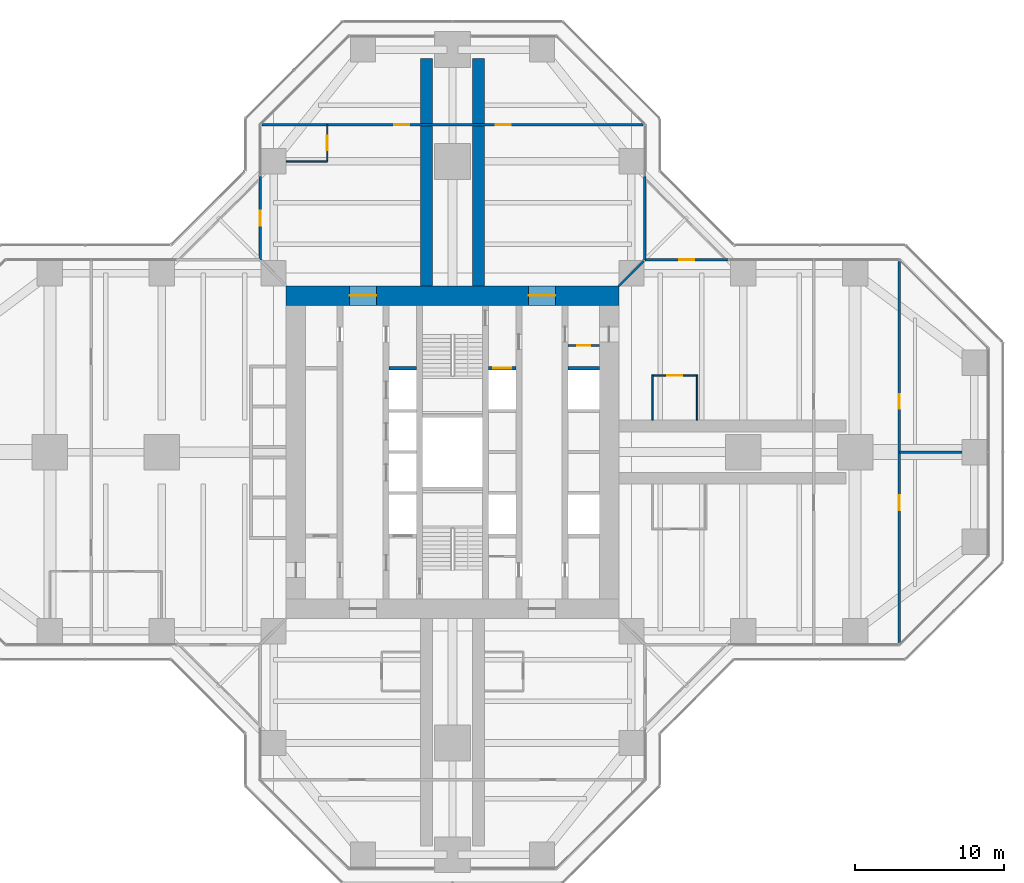
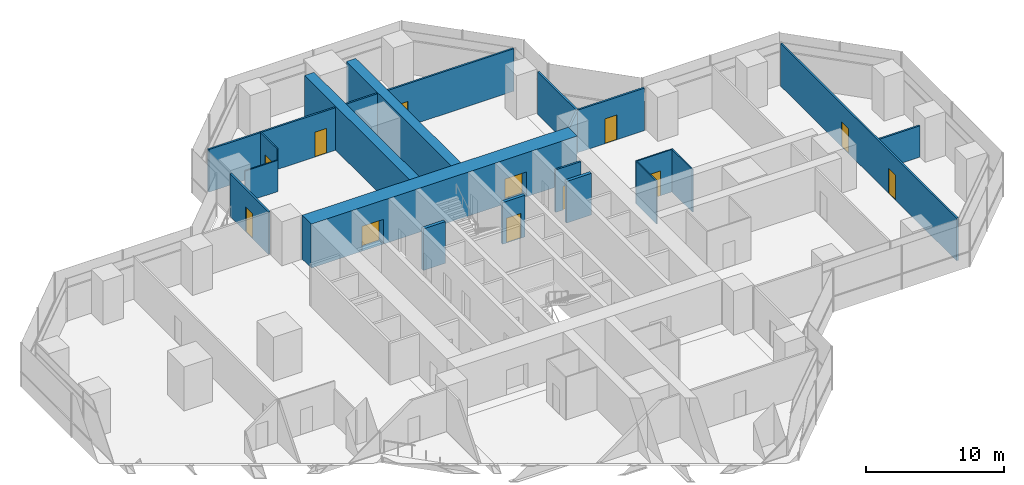
# One storey, part 17 of 20: 19 walls, 12 doors, 12 openings.
"""IFC4 building model written with IfcOpenShell, lengths in metres."""

from ifc_helpers import new_model, si_unit, direction, frame, frame_2d, origin, place, context, subcontext, project, spatial, rectangle, extrude, material, layer, layer_set, type_object, element, fill, save


model = new_model("IFC4")

# Units and contexts
model_context = context("Model", 3, precision=1e-05, world=origin(), true_north=direction((0.0, 1.0)))
body_context = subcontext(model_context, "Body", "Model", "MODEL_VIEW")
ifc_project = project(units=[si_unit("LENGTHUNIT", "METRE"), si_unit("AREAUNIT", "SQUARE_METRE"), si_unit("VOLUMEUNIT", "CUBIC_METRE"), si_unit("PLANEANGLEUNIT", "RADIAN"), si_unit("MASSUNIT", "GRAM", prefix="KILO")], contexts=[model_context])

# Site, building, storey
site_placement = place(None, origin())
site = spatial("IfcSite", under=ifc_project, at=site_placement, CompositionType="ELEMENT")
building_placement = place(site_placement, origin())
building = spatial("IfcBuilding", under=site, at=building_placement, Name="Mizan Broadcast Tower", CompositionType="ELEMENT")
storey_placement = place(building_placement, frame((0.0, 0.0, 190.5)))
storey = spatial("IfcBuildingStorey", under=building, at=storey_placement, Name="L44", CompositionType="ELEMENT", Elevation=190.5)

# Wall, opening, door
ifc_material_1 = material(Name="Concrete blockwork", Category="masonry")
ifc_layer_1 = layer(ifc_material_1, 0.14990234375)
ifc_layer_set_1 = layer_set([ifc_layer_1], Name="Concrete blockwork")
wall_type_1 = type_object("IfcWallType", Name="CORE PARTITION 150", PredefinedType="SOLIDWALL", material=ifc_layer_set_1)
wall_1_placement = place(storey_placement, frame((9.85009765625, 7.14990234375, 0.0), z_axis=(0.0, 0.0, 1.0), x_axis=(-1.0, 0.0, 0.0)))
wall_1 = element("IfcWall", 1, at=wall_1_placement, inside=storey, type_object=wall_type_1, Name="Core partition CORE/XPE", PredefinedType="SOLIDWALL", context=body_context, shape_type="SweptSolid", body=[
    extrude(rectangle(XDim=2.10009765625, YDim=0.14990234375, at=frame_2d((1.050048828125, 0.0))), origin(), (0.0, 0.0, 1.0), 3.77001953125),
])
opening_1_placement = place(wall_1_placement, frame((0.60009765625, 0.0, 0.0)))
opening_1 = element("IfcOpeningElement", 2, at=opening_1_placement, cuts=wall_1, Name="Opening D09F", PredefinedType="OPENING", context=body_context, shape_type="SweptSolid", body=[
    extrude(rectangle(XDim=0.89990234375, YDim=2.10009765625, at=frame_2d((0.449951171875, 1.050048828125))), frame((0.0, 0.0849609375, 0.0), z_axis=(0.0, -1.0, 0.0), x_axis=(1.0, 0.0, 0.0)), (0.0, 0.0, 1.0), 0.169921875),
])
ifc_material_2 = material(Name="Steel door leaf in steel frame", Category="steel")
door_type_1 = type_object("IfcDoorType", Name="CORE ROOM DOOR 900 FD90", OperationType="SINGLE_SWING_LEFT", PredefinedType="DOOR", material=ifc_material_2)
door_1_placement = place(opening_1_placement, origin())
door_1 = element("IfcDoor", 3, at=door_1_placement, inside=storey, type_object=door_type_1, Name="Electrical cupboard door", OperationType="SINGLE_SWING_RIGHT", OverallHeight=2.10009765625, OverallWidth=0.89990234375, PredefinedType="DOOR", context=body_context, shape_type="SweptSolid", body=[
    extrude(rectangle(XDim=0.89990234375, YDim=2.10009765625, at=frame_2d((0.449951171875, 1.050048828125))), frame((0.0, 0.02490234375, 0.0), z_axis=(0.0, -1.0, 0.0), x_axis=(1.0, 0.0, 0.0)), (0.0, 0.0, 1.0), 0.050048828125),
])
fill(opening_1, door_1)

# Wall, openings, doors
ifc_material_3 = material(Name="Concrete C70/85", Category="concrete")
ifc_layer_2 = layer(ifc_material_3, 1.300048828125)
ifc_layer_set_2 = layer_set([ifc_layer_2], Name="Concrete C70/85")
wall_type_2 = type_object("IfcWallType", Name="CORE WALL 1300", PredefinedType="SHEAR", material=ifc_layer_set_2)
wall_2_placement = place(storey_placement, frame((-11.14990234375, 10.5, 0.0), z_axis=(0.0, 0.0, 1.0), x_axis=(1.0, 0.0, 0.0)))
wall_2 = element("IfcWall", 4, at=wall_2_placement, inside=storey, type_object=wall_type_2, Name="Core wall N L44", PredefinedType="SHEAR", context=body_context, shape_type="SweptSolid", body=[
    extrude(rectangle(XDim=22.2998046875, YDim=1.300048828125, at=frame_2d((11.14990234375, 0.0))), origin(), (0.0, 0.0, 1.0), 3.89990234375),
])
opening_2_placement = place(wall_2_placement, frame((4.25, 0.0, 0.0)))
opening_2 = element("IfcOpeningElement", 5, at=opening_2_placement, cuts=wall_2, Name="Opening D18F", PredefinedType="OPENING", context=body_context, shape_type="SweptSolid", body=[
    extrude(rectangle(XDim=1.800048828125, YDim=2.199951171875, at=frame_2d((0.89990234375, 1.10009765625))), frame((0.0, 0.659912109375, 0.0), z_axis=(0.0, -1.0, 0.0), x_axis=(1.0, 0.0, 0.0)), (0.0, 0.0, 1.0), 1.320068359375),
])
opening_3_placement = place(wall_2_placement, frame((16.25, 0.0, 0.0)))
opening_3 = element("IfcOpeningElement", 6, at=opening_3_placement, cuts=wall_2, Name="Opening D18F", PredefinedType="OPENING", context=body_context, shape_type="SweptSolid", body=[
    extrude(rectangle(XDim=1.800048828125, YDim=2.199951171875, at=frame_2d((0.89990234375, 1.10009765625))), frame((0.0, 0.659912109375, 0.0), z_axis=(0.0, -1.0, 0.0), x_axis=(1.0, 0.0, 0.0)), (0.0, 0.0, 1.0), 1.320068359375),
])
ifc_material_4 = material(Name="Steel door leaf in steel frame", Category="steel")
door_type_2 = type_object("IfcDoorType", Name="LOBBY DOUBLE DOOR 1800 FD90", OperationType="DOUBLE_DOOR_DOUBLE_SWING", PredefinedType="DOOR", material=ifc_material_4)
door_2_placement = place(opening_2_placement, origin())
door_2 = element("IfcDoor", 7, at=door_2_placement, inside=storey, type_object=door_type_2, Name="West lift lobby north door", OperationType="DOUBLE_DOOR_DOUBLE_SWING", OverallHeight=2.199951171875, OverallWidth=1.800048828125, PredefinedType="DOOR", context=body_context, shape_type="SweptSolid", body=[
    extrude(rectangle(XDim=1.800048828125, YDim=2.199951171875, at=frame_2d((0.89990234375, 1.10009765625))), frame((0.0, 0.02490234375, 0.0), z_axis=(0.0, -1.0, 0.0), x_axis=(1.0, 0.0, 0.0)), (0.0, 0.0, 1.0), 0.050048828125),
])
fill(opening_2, door_2)
door_3_placement = place(opening_3_placement, origin())
door_3 = element("IfcDoor", 8, at=door_3_placement, inside=storey, type_object=door_type_2, Name="East lift lobby north door", OperationType="DOUBLE_DOOR_DOUBLE_SWING", OverallHeight=2.199951171875, OverallWidth=1.800048828125, PredefinedType="DOOR", context=body_context, shape_type="SweptSolid", body=[
    extrude(rectangle(XDim=1.800048828125, YDim=2.199951171875, at=frame_2d((0.89990234375, 1.10009765625))), frame((0.0, 0.02490234375, 0.0), z_axis=(0.0, -1.0, 0.0), x_axis=(1.0, 0.0, 0.0)), (0.0, 0.0, 1.0), 0.050048828125),
])
fill(opening_3, door_3)

# Wall, opening, door
ifc_material_5 = material(Name="Aluminium framed glazed screen", Category="aluminium")
ifc_layer_3 = layer(ifc_material_5, 0.159912109375)
ifc_layer_set_3 = layer_set([ifc_layer_3], Name="Aluminium framed glazed screen")
wall_type_3 = type_object("IfcWallType", Name="GLAZED SCREEN WALL 160", PredefinedType="SOLIDWALL", material=ifc_layer_set_3)
wall_3_placement = place(storey_placement, frame((18.5, 12.89990234375, 0.0), z_axis=(0.0, 0.0, 1.0), x_axis=(-1.0, 0.0, 0.0)))
wall_3 = element("IfcWall", 9, at=wall_3_placement, inside=storey, type_object=wall_type_3, Name="Winter garden screen L44 E", PredefinedType="SOLIDWALL", context=body_context, shape_type="SweptSolid", body=[
    extrude(rectangle(XDim=5.60009765625, YDim=0.159912109375, at=frame_2d((2.800048828125, 0.0))), origin(), (0.0, 0.0, 1.0), 3.77001953125),
])
opening_4_placement = place(wall_3_placement, frame((2.300048828125, 0.0, 0.0)))
opening_4 = element("IfcOpeningElement", 10, at=opening_4_placement, cuts=wall_3, Name="Opening WGD", PredefinedType="OPENING", context=body_context, shape_type="SweptSolid", body=[
    extrude(rectangle(XDim=1.0, YDim=2.199951171875, at=frame_2d((0.5, 1.10009765625))), frame((0.0, 0.08984375, 0.0), z_axis=(0.0, -1.0, 0.0), x_axis=(1.0, 0.0, 0.0)), (0.0, 0.0, 1.0), 0.179931640625),
])
ifc_material_6 = material(Name="Aluminium framed glazed door", Category="aluminium")
door_type_3 = type_object("IfcDoorType", Name="WINTER GARDEN DOOR 1000 GLAZED", OperationType="SINGLE_SWING_LEFT", PredefinedType="DOOR", material=ifc_material_6)
door_4_placement = place(opening_4_placement, origin())
door_4 = element("IfcDoor", 11, at=door_4_placement, inside=storey, type_object=door_type_3, Name="Winter garden door L44 E", OperationType="SINGLE_SWING_RIGHT", OverallHeight=2.199951171875, OverallWidth=1.0, PredefinedType="DOOR", context=body_context, shape_type="SweptSolid", body=[
    extrude(rectangle(XDim=1.0, YDim=2.199951171875, at=frame_2d((0.5, 1.10009765625))), frame((0.0, 0.02490234375, 0.0), z_axis=(0.0, -1.0, 0.0), x_axis=(1.0, 0.0, 0.0)), (0.0, 0.0, 1.0), 0.050048828125),
])
fill(opening_4, door_4)

# Wall
wall_4_placement = place(storey_placement, frame((12.89990234375, 12.89990234375, 0.0), z_axis=(0.0, 0.0, 1.0), x_axis=(0.0, 1.0, 0.0)))
element("IfcWall", 12, at=wall_4_placement, inside=storey, type_object=wall_type_3, Name="Winter garden screen L44 N", PredefinedType="SOLIDWALL", context=body_context, shape_type="SweptSolid", body=[
    extrude(rectangle(XDim=5.60009765625, YDim=0.159912109375, at=frame_2d((2.800048828125, 0.0))), origin(), (0.0, 0.0, 1.0), 3.77001953125),
])

# Wall, opening, door
wall_5_placement = place(storey_placement, frame((-12.89990234375, 18.5, 0.0), z_axis=(0.0, 0.0, 1.0), x_axis=(0.0, -1.0, 0.0)))
wall_5 = element("IfcWall", 13, at=wall_5_placement, inside=storey, type_object=wall_type_3, Name="Winter garden screen L44 N", PredefinedType="SOLIDWALL", context=body_context, shape_type="SweptSolid", body=[
    extrude(rectangle(XDim=5.60009765625, YDim=0.159912109375, at=frame_2d((2.800048828125, 0.0))), origin(), (0.0, 0.0, 1.0), 3.77001953125),
])
opening_5_placement = place(wall_5_placement, frame((2.300048828125, 0.0, 0.0)))
opening_5 = element("IfcOpeningElement", 14, at=opening_5_placement, cuts=wall_5, Name="Opening WGD", PredefinedType="OPENING", context=body_context, shape_type="SweptSolid", body=[
    extrude(rectangle(XDim=1.0, YDim=2.199951171875, at=frame_2d((0.5, 1.10009765625))), frame((0.0, 0.08984375, 0.0), z_axis=(0.0, -1.0, 0.0), x_axis=(1.0, 0.0, 0.0)), (0.0, 0.0, 1.0), 0.179931640625),
])
door_5_placement = place(opening_5_placement, origin())
door_5 = element("IfcDoor", 15, at=door_5_placement, inside=storey, type_object=door_type_3, Name="Winter garden door L44 N", OperationType="SINGLE_SWING_RIGHT", OverallHeight=2.199951171875, OverallWidth=1.0, PredefinedType="DOOR", context=body_context, shape_type="SweptSolid", body=[
    extrude(rectangle(XDim=1.0, YDim=2.199951171875, at=frame_2d((0.5, 1.10009765625))), frame((0.0, 0.02490234375, 0.0), z_axis=(0.0, -1.0, 0.0), x_axis=(1.0, 0.0, 0.0)), (0.0, 0.0, 1.0), 0.050048828125),
])
fill(opening_5, door_5)

# Wall
ifc_material_7 = material(Name="Concrete blockwork", Category="masonry")
ifc_layer_4 = layer(ifc_material_7, 0.25)
ifc_layer_set_4 = layer_set([ifc_layer_4], Name="Concrete blockwork")
wall_type_4 = type_object("IfcWallType", Name="LOBBY ENCLOSURE WALL 250", PredefinedType="SOLIDWALL", material=ifc_layer_set_4)
wall_6_placement = place(storey_placement, frame((-4.25, 5.625, 0.0), z_axis=(0.0, 0.0, 1.0), x_axis=(1.0, 0.0, 0.0)))
element("IfcWall", 16, at=wall_6_placement, inside=storey, type_object=wall_type_4, Name="Lobby enclosure wall CORE/BW2N", PredefinedType="SOLIDWALL", context=body_context, shape_type="SweptSolid", body=[
    extrude(rectangle(XDim=1.85009765625, YDim=0.25, at=frame_2d((0.925048828125, 0.0))), origin(), (0.0, 0.0, 1.0), 3.699951171875),
])

# Wall, opening, door
wall_7_placement = place(storey_placement, frame((2.39990234375, 5.625, 0.0), z_axis=(0.0, 0.0, 1.0), x_axis=(1.0, 0.0, 0.0)))
wall_7 = element("IfcWall", 17, at=wall_7_placement, inside=storey, type_object=wall_type_4, Name="Lobby enclosure wall CORE/BE2N", PredefinedType="SOLIDWALL", context=body_context, shape_type="SweptSolid", body=[
    extrude(rectangle(XDim=1.85009765625, YDim=0.25, at=frame_2d((0.925048828125, 0.0))), origin(), (0.0, 0.0, 1.0), 3.699951171875),
])
opening_6_placement = place(wall_7_placement, frame((0.324951171875, 0.0, 0.0)))
opening_6 = element("IfcOpeningElement", 18, at=opening_6_placement, cuts=wall_7, Name="Opening LDF", PredefinedType="OPENING", context=body_context, shape_type="SweptSolid", body=[
    extrude(rectangle(XDim=1.199951171875, YDim=2.199951171875, at=frame_2d((0.60009765625, 1.10009765625))), frame((0.0, 0.135009765625, 0.0), z_axis=(0.0, -1.0, 0.0), x_axis=(1.0, 0.0, 0.0)), (0.0, 0.0, 1.0), 0.27001953125),
])
ifc_material_8 = material(Name="Steel door leaf in steel frame", Category="steel")
door_type_4 = type_object("IfcDoorType", Name="FIREFIGHTING LIFT LANDING DOOR 1200", OperationType="SLIDING_TO_LEFT", PredefinedType="DOOR", material=ifc_material_8)
door_6_placement = place(opening_6_placement, origin())
door_6 = element("IfcDoor", 19, at=door_6_placement, inside=storey, type_object=door_type_4, Name="Landing door FF2", OperationType="SLIDING_TO_LEFT", OverallHeight=2.199951171875, OverallWidth=1.199951171875, PredefinedType="DOOR", context=body_context, shape_type="SweptSolid", body=[
    extrude(rectangle(XDim=1.199951171875, YDim=2.199951171875, at=frame_2d((0.60009765625, 1.10009765625))), frame((0.0, 0.02490234375, 0.0), z_axis=(0.0, -1.0, 0.0), x_axis=(1.0, 0.0, 0.0)), (0.0, 0.0, 1.0), 0.050048828125),
])
fill(opening_6, door_6)

# Wall
wall_8_placement = place(storey_placement, frame((7.75, 5.625, 0.0), z_axis=(0.0, 0.0, 1.0), x_axis=(1.0, 0.0, 0.0)))
element("IfcWall", 20, at=wall_8_placement, inside=storey, type_object=wall_type_4, Name="Lobby enclosure wall CORE/BE1N", PredefinedType="SOLIDWALL", context=body_context, shape_type="SweptSolid", body=[
    extrude(rectangle(XDim=2.10009765625, YDim=0.25, at=frame_2d((1.050048828125, 0.0))), origin(), (0.0, 0.0, 1.0), 3.699951171875),
])

# Wall, openings, doors
ifc_material_9 = material(Name="Gypsum board on steel studs", Category="steel")
ifc_layer_5 = layer(ifc_material_9, 0.14990234375)
ifc_layer_set_5 = layer_set([ifc_layer_5], Name="Gypsum board on steel studs")
wall_type_5 = type_object("IfcWallType", Name="PARTITION 150", PredefinedType="PARTITIONING", material=ifc_layer_set_5)
wall_9_placement = place(storey_placement, frame((29.958984375, -12.786376953125, 0.0), z_axis=(0.0, 0.0, 1.0), x_axis=(0.0, 1.0, 0.0)))
wall_9 = element("IfcWall", 21, at=wall_9_placement, inside=storey, type_object=wall_type_5, Name="Partition PT/EX2", PredefinedType="PARTITIONING", context=body_context, shape_type="SweptSolid", body=[
    extrude(rectangle(XDim=25.57275390625, YDim=0.14990234375, at=frame_2d((12.786376953125, 0.0))), origin(), (0.0, 0.0, 1.0), 3.77001953125),
])
opening_7_placement = place(wall_9_placement, frame((15.6865234375, 0.0, 0.0)))
opening_7 = element("IfcOpeningElement", 22, at=opening_7_placement, cuts=wall_9, Name="Opening D10", PredefinedType="OPENING", context=body_context, shape_type="SweptSolid", body=[
    extrude(rectangle(XDim=1.0, YDim=2.199951171875, at=frame_2d((0.5, 1.10009765625))), frame((0.0, 0.0849609375, 0.0), z_axis=(0.0, -1.0, 0.0), x_axis=(1.0, 0.0, 0.0)), (0.0, 0.0, 1.0), 0.169921875),
])
opening_8_placement = place(wall_9_placement, frame((8.886474609375, 0.0, 0.0)))
opening_8 = element("IfcOpeningElement", 23, at=opening_8_placement, cuts=wall_9, Name="Opening D10", PredefinedType="OPENING", context=body_context, shape_type="SweptSolid", body=[
    extrude(rectangle(XDim=1.0, YDim=2.199951171875, at=frame_2d((0.5, 1.10009765625))), frame((0.0, 0.0849609375, 0.0), z_axis=(0.0, -1.0, 0.0), x_axis=(1.0, 0.0, 0.0)), (0.0, 0.0, 1.0), 0.169921875),
])
ifc_material_10 = material(Name="Timber door leaf in aluminium frame", Category="wood")
door_type_5 = type_object("IfcDoorType", Name="ROOM DOOR 1000", OperationType="SINGLE_SWING_LEFT", PredefinedType="DOOR", material=ifc_material_10)
door_7_placement = place(opening_7_placement, origin())
door_7 = element("IfcDoor", 24, at=door_7_placement, inside=storey, type_object=door_type_5, Name="Open office door", OperationType="SINGLE_SWING_RIGHT", OverallHeight=2.199951171875, OverallWidth=1.0, PredefinedType="DOOR", context=body_context, shape_type="SweptSolid", body=[
    extrude(rectangle(XDim=1.0, YDim=2.199951171875, at=frame_2d((0.5, 1.10009765625))), frame((0.0, 0.02490234375, 0.0), z_axis=(0.0, -1.0, 0.0), x_axis=(1.0, 0.0, 0.0)), (0.0, 0.0, 1.0), 0.050048828125),
])
fill(opening_7, door_7)
door_8_placement = place(opening_8_placement, origin())
door_8 = element("IfcDoor", 25, at=door_8_placement, inside=storey, type_object=door_type_5, Name="Open office door", OperationType="SINGLE_SWING_LEFT", OverallHeight=2.199951171875, OverallWidth=1.0, PredefinedType="DOOR", context=body_context, shape_type="SweptSolid", body=[
    extrude(rectangle(XDim=1.0, YDim=2.199951171875, at=frame_2d((0.5, 1.10009765625))), frame((0.0, 0.02490234375, 0.0), z_axis=(0.0, -1.0, 0.0), x_axis=(1.0, 0.0, 0.0)), (0.0, 0.0, 1.0), 0.050048828125),
])
fill(opening_8, door_8)

# Wall
wall_10_placement = place(storey_placement, frame((29.958984375, 0.0, 0.0), z_axis=(0.0, 0.0, 1.0), x_axis=(1.0, 0.0, 0.0)))
element("IfcWall", 26, at=wall_10_placement, inside=storey, type_object=wall_type_5, Name="Partition PT/EES", PredefinedType="PARTITIONING", context=body_context, shape_type="SweptSolid", body=[
    extrude(rectangle(XDim=4.19091796875, YDim=0.14990234375, at=frame_2d((2.095458984375, 0.0))), origin(), (0.0, 0.0, 1.0), 2.77001953125),
])

# Wall, openings, doors
wall_11_placement = place(storey_placement, frame((12.786376953125, 21.958984375, 0.0), z_axis=(0.0, 0.0, 1.0), x_axis=(-1.0, 0.0, 0.0)))
wall_11 = element("IfcWall", 27, at=wall_11_placement, inside=storey, type_object=wall_type_5, Name="Partition PT/NX1", PredefinedType="PARTITIONING", context=body_context, shape_type="SweptSolid", body=[
    extrude(rectangle(XDim=25.57275390625, YDim=0.14990234375, at=frame_2d((12.786376953125, 0.0))), origin(), (0.0, 0.0, 1.0), 3.77001953125),
])
opening_9_placement = place(wall_11_placement, frame((15.6865234375, 0.0, 0.0)))
opening_9 = element("IfcOpeningElement", 28, at=opening_9_placement, cuts=wall_11, Name="Opening D10", PredefinedType="OPENING", context=body_context, shape_type="SweptSolid", body=[
    extrude(rectangle(XDim=1.0, YDim=2.199951171875, at=frame_2d((0.5, 1.10009765625))), frame((0.0, 0.0849609375, 0.0), z_axis=(0.0, -1.0, 0.0), x_axis=(1.0, 0.0, 0.0)), (0.0, 0.0, 1.0), 0.169921875),
])
opening_10_placement = place(wall_11_placement, frame((8.886474609375, 0.0, 0.0)))
opening_10 = element("IfcOpeningElement", 29, at=opening_10_placement, cuts=wall_11, Name="Opening D10", PredefinedType="OPENING", context=body_context, shape_type="SweptSolid", body=[
    extrude(rectangle(XDim=1.0, YDim=2.199951171875, at=frame_2d((0.5, 1.10009765625))), frame((0.0, 0.0849609375, 0.0), z_axis=(0.0, -1.0, 0.0), x_axis=(1.0, 0.0, 0.0)), (0.0, 0.0, 1.0), 0.169921875),
])
door_9_placement = place(opening_9_placement, origin())
door_9 = element("IfcDoor", 30, at=door_9_placement, inside=storey, type_object=door_type_5, Name="Office door", OperationType="SINGLE_SWING_RIGHT", OverallHeight=2.199951171875, OverallWidth=1.0, PredefinedType="DOOR", context=body_context, shape_type="SweptSolid", body=[
    extrude(rectangle(XDim=1.0, YDim=2.199951171875, at=frame_2d((0.5, 1.10009765625))), frame((0.0, 0.02490234375, 0.0), z_axis=(0.0, -1.0, 0.0), x_axis=(1.0, 0.0, 0.0)), (0.0, 0.0, 1.0), 0.050048828125),
])
fill(opening_9, door_9)
door_10_placement = place(opening_10_placement, origin())
door_10 = element("IfcDoor", 31, at=door_10_placement, inside=storey, type_object=door_type_5, Name="Office door", OperationType="SINGLE_SWING_LEFT", OverallHeight=2.199951171875, OverallWidth=1.0, PredefinedType="DOOR", context=body_context, shape_type="SweptSolid", body=[
    extrude(rectangle(XDim=1.0, YDim=2.199951171875, at=frame_2d((0.5, 1.10009765625))), frame((0.0, 0.02490234375, 0.0), z_axis=(0.0, -1.0, 0.0), x_axis=(1.0, 0.0, 0.0)), (0.0, 0.0, 1.0), 0.050048828125),
])
fill(opening_10, door_10)

# Walls
wall_12_placement = place(storey_placement, frame((11.14990234375, 11.14990234375, 0.0), z_axis=(0.0, 0.0, 1.0), x_axis=(0.707106781187, 0.707106781187, 0.0)))
element("IfcWall", 32, at=wall_12_placement, inside=storey, type_object=wall_type_5, Name="Partition PT/DGEN", PredefinedType="PARTITIONING", context=body_context, shape_type="SweptSolid", body=[
    extrude(rectangle(XDim=2.362060546875, YDim=0.14990234375, at=frame_2d((1.18115234375, 0.0))), origin(), (0.0, 0.0, 1.0), 3.77001953125),
])
ifc_material_11 = material(Name="Glazed aluminium partition on aluminium track", Category="aluminium")
ifc_layer_6 = layer(ifc_material_11, 0.10009765625)
ifc_layer_set_6 = layer_set([ifc_layer_6], Name="Glazed aluminium partition on aluminium track")
wall_type_6 = type_object("IfcWallType", Name="PARTITION GLAZED OFFICE FRONT 100", PredefinedType="PARTITIONING", material=ifc_layer_set_6)
for number, where, z_axis, x_axis, name in (
    (33, (13.39990234375, 2.14990234375, 0.0), (0.0, 0.0, 1.0), (0.0, 1.0, 0.0), "Glazed office front PT/EKP0a"),
    (34, (16.39990234375, 2.14990234375, 0.0), (0.0, 0.0, 1.0), (0.0, 1.0, 0.0), "Glazed office front PT/EKP0b"),
):
    element("IfcWall", number, at=place(storey_placement, frame(where, z_axis=z_axis, x_axis=x_axis)), inside=storey, type_object=wall_type_6, Name=name, PredefinedType="PARTITIONING", context=body_context, shape_type="SweptSolid", body=[
        extrude(rectangle(XDim=3.0, YDim=0.10009765625, at=frame_2d((1.5, 0.0))), origin(), (0.0, 0.0, 1.0), 3.77001953125),
    ])

# Wall, opening, door
wall_13_placement = place(storey_placement, frame((13.35009765625, 5.14990234375, 0.0), z_axis=(0.0, 0.0, 1.0), x_axis=(1.0, 0.0, 0.0)))
wall_13 = element("IfcWall", 35, at=wall_13_placement, inside=storey, type_object=wall_type_6, Name="Glazed office front PT/EKP0f", PredefinedType="PARTITIONING", context=body_context, shape_type="SweptSolid", body=[
    extrude(rectangle(XDim=3.099853515625, YDim=0.10009765625, at=frame_2d((1.5498046875, 0.0))), origin(), (0.0, 0.0, 1.0), 3.77001953125),
])
opening_11_placement = place(wall_13_placement, frame((1.050048828125, 0.0, 0.0)))
opening_11 = element("IfcOpeningElement", 36, at=opening_11_placement, cuts=wall_13, Name="Opening D10O", PredefinedType="OPENING", context=body_context, shape_type="SweptSolid", body=[
    extrude(rectangle(XDim=1.0, YDim=2.199951171875, at=frame_2d((0.5, 1.10009765625))), frame((0.0, 0.06005859375, 0.0), z_axis=(0.0, -1.0, 0.0), x_axis=(1.0, 0.0, 0.0)), (0.0, 0.0, 1.0), 0.1201171875),
])
ifc_material_12 = material(Name="Timber door leaf in aluminium frame", Category="wood")
door_type_6 = type_object("IfcDoorType", Name="OFFICE DOOR 1000 GLAZED", OperationType="SINGLE_SWING_LEFT", PredefinedType="DOOR", material=ifc_material_12)
door_11_placement = place(opening_11_placement, origin())
door_11 = element("IfcDoor", 37, at=door_11_placement, inside=storey, type_object=door_type_6, Name="Pantry door", OperationType="SINGLE_SWING_LEFT", OverallHeight=2.199951171875, OverallWidth=1.0, PredefinedType="DOOR", context=body_context, shape_type="SweptSolid", body=[
    extrude(rectangle(XDim=1.0, YDim=2.199951171875, at=frame_2d((0.5, 1.10009765625))), frame((0.0, 0.02490234375, 0.0), z_axis=(0.0, -1.0, 0.0), x_axis=(1.0, 0.0, 0.0)), (0.0, 0.0, 1.0), 0.050048828125),
])
fill(opening_11, door_11)

wall_14_placement = place(storey_placement, frame((-8.39990234375, 19.5, 0.0), z_axis=(0.0, 0.0, 1.0), x_axis=(0.0, 1.0, 0.0)))
wall_14 = element("IfcWall", 38, at=wall_14_placement, inside=storey, type_object=wall_type_6, Name="Glazed office front PT/NCP0", PredefinedType="PARTITIONING", context=body_context, shape_type="SweptSolid", body=[
    extrude(rectangle(XDim=2.458984375, YDim=0.10009765625, at=frame_2d((1.2294921875, 0.0))), origin(), (0.0, 0.0, 1.0), 3.77001953125),
])
opening_12_placement = place(wall_14_placement, frame((0.7294921875, 0.0, 0.0)))
opening_12 = element("IfcOpeningElement", 39, at=opening_12_placement, cuts=wall_14, Name="Opening D10O", PredefinedType="OPENING", context=body_context, shape_type="SweptSolid", body=[
    extrude(rectangle(XDim=1.0, YDim=2.199951171875, at=frame_2d((0.5, 1.10009765625))), frame((0.0, 0.06005859375, 0.0), z_axis=(0.0, -1.0, 0.0), x_axis=(1.0, 0.0, 0.0)), (0.0, 0.0, 1.0), 0.1201171875),
])
door_12_placement = place(opening_12_placement, origin())
door_12 = element("IfcDoor", 40, at=door_12_placement, inside=storey, type_object=door_type_6, Name="Office door", OperationType="SINGLE_SWING_LEFT", OverallHeight=2.199951171875, OverallWidth=1.0, PredefinedType="DOOR", context=body_context, shape_type="SweptSolid", body=[
    extrude(rectangle(XDim=1.0, YDim=2.199951171875, at=frame_2d((0.5, 1.10009765625))), frame((0.0, 0.02490234375, 0.0), z_axis=(0.0, -1.0, 0.0), x_axis=(1.0, 0.0, 0.0)), (0.0, 0.0, 1.0), 0.050048828125),
])
fill(opening_12, door_12)

# Walls
wall_15_placement = place(storey_placement, frame((-8.39990234375, 19.5, 0.0), z_axis=(0.0, 0.0, 1.0), x_axis=(-1.0, 0.0, 0.0)))
element("IfcWall", 41, at=wall_15_placement, inside=storey, type_object=wall_type_6, Name="Glazed office front PT/NQP1950", PredefinedType="PARTITIONING", context=body_context, shape_type="SweptSolid", body=[
    extrude(rectangle(XDim=2.75, YDim=0.10009765625, at=frame_2d((1.375, 0.0))), origin(), (0.0, 0.0, 1.0), 2.77001953125),
])
ifc_material_13 = material(Name="Concrete C70/85", Category="concrete")
ifc_layer_7 = layer(ifc_material_13, 0.800048828125)
ifc_layer_set_7 = layer_set([ifc_layer_7], Name="Concrete C70/85")
wall_type_7 = type_object("IfcWallType", Name="SPINE WALL 800", PredefinedType="SHEAR", material=ifc_layer_set_7)
for number, where, z_axis, x_axis, name in (
    (42, (1.75, 11.14990234375, 0.0), (0.0, 0.0, 1.0), (0.0, 1.0, 0.0), "Spine wall NR L44"),
    (43, (-1.75, 11.14990234375, 0.0), (0.0, 0.0, 1.0), (0.0, 1.0, 0.0), "Spine wall NL L44"),
):
    element("IfcWall", number, at=place(storey_placement, frame(where, z_axis=z_axis, x_axis=x_axis)), inside=storey, type_object=wall_type_7, Name=name, PredefinedType="SHEAR", context=body_context, shape_type="SweptSolid", body=[
        extrude(rectangle(XDim=15.25, YDim=0.800048828125, at=frame_2d((7.625, 0.0))), origin(), (0.0, 0.0, 1.0), 3.89990234375),
    ])

save(model, "model.ifc")
